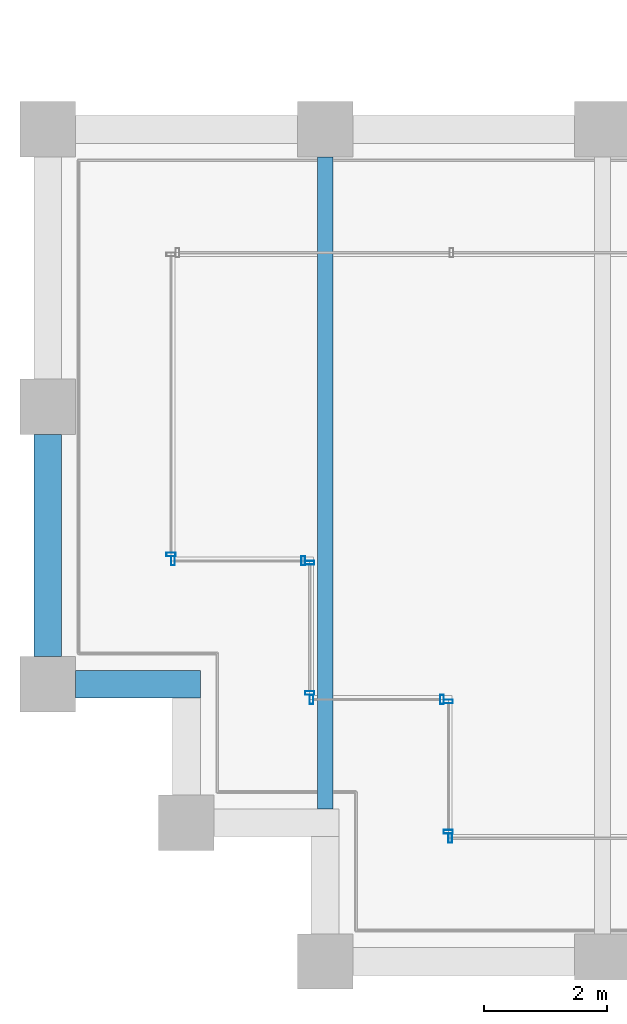
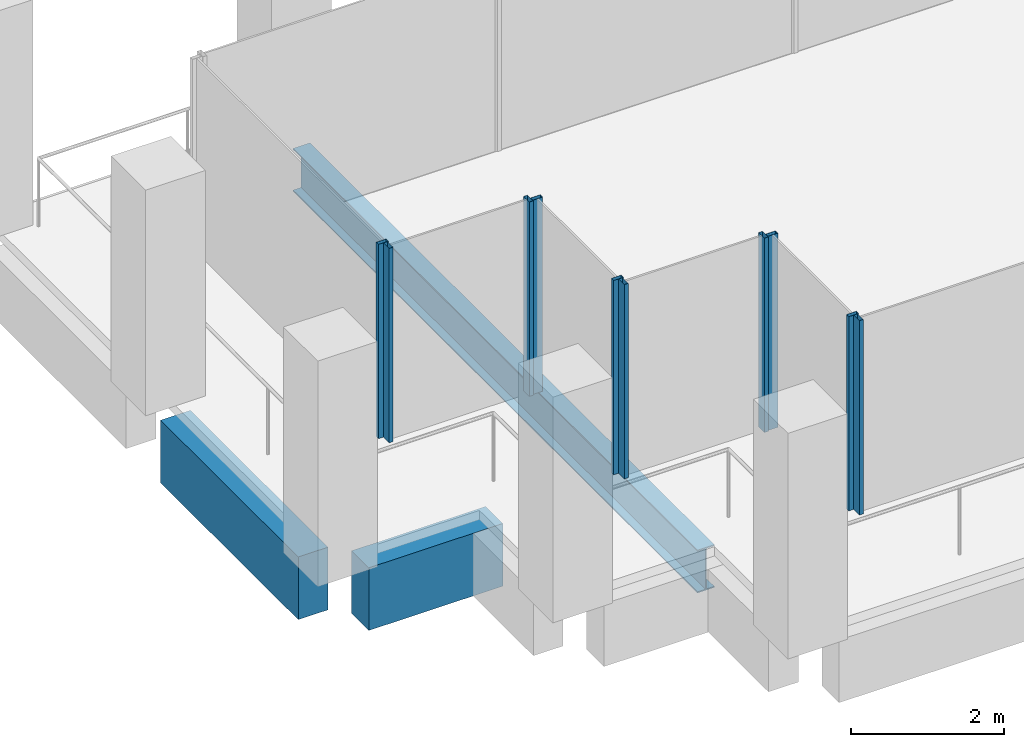
# One storey, part 2 of 40: 10 members, 3 beams, 6 elements without a shape of their own.
"""IFC4 building model written with IfcOpenShell, lengths in metres."""

from ifc_helpers import new_model, si_unit, direction, frame, origin, origin_2d, place, context, subcontext, project, spatial, rectangle, hollow_rectangle, i_section, extrude, material, material_profile, profile_set, type_object, element, aggregate, save


model = new_model("IFC4")

# Units and contexts
model_context = context("Model", 3, precision=1e-05, world=origin(), true_north=direction((0.0, 1.0)))
body_context = subcontext(model_context, "Body", "Model", "MODEL_VIEW")
ifc_project = project(units=[si_unit("LENGTHUNIT", "METRE"), si_unit("AREAUNIT", "SQUARE_METRE"), si_unit("VOLUMEUNIT", "CUBIC_METRE"), si_unit("PLANEANGLEUNIT", "RADIAN"), si_unit("MASSUNIT", "GRAM", prefix="KILO")], contexts=[model_context])

# Site, building, storey
site_placement = place(None, origin())
site = spatial("IfcSite", under=ifc_project, at=site_placement, CompositionType="ELEMENT")
building_placement = place(site_placement, origin())
building = spatial("IfcBuilding", under=site, at=building_placement, Name="Altepetl Exchange Towers", CompositionType="ELEMENT")
storey_placement = place(building_placement, frame((0.0, 0.0, 158.199951171875)))
storey = spatial("IfcBuildingStorey", under=building, at=storey_placement, Name="L39", CompositionType="ELEMENT", Elevation=158.199951171875)

# Beam
ifc_material_1 = material(Name="Steel S355", Category="steel")
ifc_material_profile_1 = material_profile(ifc_material_1, i_section(OverallWidth=0.25390625, OverallDepth=0.68408203125, WebThickness=0.012451171875, FlangeThickness=0.018798828125, at=origin_2d()), Name="W27X94")
ifc_profile_set_1 = profile_set([ifc_material_profile_1], Name="Steel S355")
beam_type_1 = type_object("IfcBeamType", Name="Floor beam W27X94", PredefinedType="BEAM", material=ifc_profile_set_1)
beam_1_placement = place(storey_placement, frame((31.5, 29.47509765625, -0.491943359375), z_axis=(0.0, 1.0, 0.0), x_axis=(-1.0, 0.0, 0.0)))
element("IfcBeam", 1, at=beam_1_placement, inside=storey, type_object=beam_type_1, Name="bm:A:L39:012", PredefinedType="BEAM", context=body_context, shape_type="SweptSolid", body=[
    extrude(i_section(OverallWidth=0.25390625, OverallDepth=0.68408203125, WebThickness=0.012451171875, FlangeThickness=0.018798828125, at=origin_2d()), origin(), (0.0, 0.0, 1.0), 10.574951171875),
])

# Curtain wall, member
ifc_material_2 = material(Name="Aluminium 6063-T6 glazing", Category="aluminium")
curtain_wall_type = type_object("IfcCurtainWallType", Name="Loggia glazing system", PredefinedType="NOTDEFINED", material=ifc_material_2)
curtain_wall_1_placement = place(storey_placement, origin())
curtain_wall_1 = element("IfcCurtainWall", 2, at=curtain_wall_1_placement, inside=storey, type_object=curtain_wall_type, Name="CW1 run", PredefinedType="NOTDEFINED")
ifc_material_3 = material(Name="Aluminium 6063-T6", Category="aluminium")
ifc_material_profile_2 = material_profile(ifc_material_3, hollow_rectangle(XDim=0.06005859375, YDim=0.14990234375, WallThickness=0.0029296875, at=origin_2d()), Name="Mullion 60x150 aluminium")
ifc_profile_set_2 = profile_set([ifc_material_profile_2], Name="Aluminium 6063-T6")
member_type = type_object("IfcMemberType", Name="Mullion 60x150 aluminium", PredefinedType="MULLION", material=ifc_profile_set_2)
member_1_placement = place(storey_placement, frame((29.0, 33.60498046875, 0.0), z_axis=(0.0, 0.0, 1.0), x_axis=(0.0, -1.0, 0.0)))
member_1 = element("IfcMember", 3, at=member_1_placement, type_object=member_type, Name="MU1 mullion", PredefinedType="MULLION", context=body_context, shape_type="SweptSolid", body=[
    extrude(hollow_rectangle(XDim=0.06005859375, YDim=0.14990234375, WallThickness=0.0029296875, at=origin_2d()), origin(), (0.0, 0.0, 1.0), 3.10009765625),
])
aggregate(curtain_wall_1, [member_1])

# Curtain wall, members
curtain_wall_2_placement = place(storey_placement, origin())
curtain_wall_2 = element("IfcCurtainWall", 4, at=curtain_wall_2_placement, inside=storey, type_object=curtain_wall_type, Name="CW1 run", PredefinedType="NOTDEFINED")
member_2_placement = place(storey_placement, frame((29.030029296875, 33.5, 0.0)))
member_2 = element("IfcMember", 5, at=member_2_placement, type_object=member_type, Name="MU1 mullion", PredefinedType="MULLION", context=body_context, shape_type="SweptSolid", body=[
    extrude(hollow_rectangle(XDim=0.06005859375, YDim=0.14990234375, WallThickness=0.0029296875, at=origin_2d()), origin(), (0.0, 0.0, 1.0), 3.10009765625),
])
member_3_placement = place(storey_placement, frame((31.14501953125, 33.5, 0.0)))
member_3 = element("IfcMember", 6, at=member_3_placement, type_object=member_type, Name="MU1 mullion", PredefinedType="MULLION", context=body_context, shape_type="SweptSolid", body=[
    extrude(hollow_rectangle(XDim=0.06005859375, YDim=0.14990234375, WallThickness=0.0029296875, at=origin_2d()), origin(), (0.0, 0.0, 1.0), 3.10009765625),
])
aggregate(curtain_wall_2, [member_2, member_3])

curtain_wall_3_placement = place(storey_placement, origin())
curtain_wall_3 = element("IfcCurtainWall", 7, at=curtain_wall_3_placement, inside=storey, type_object=curtain_wall_type, Name="CW1 run", PredefinedType="NOTDEFINED")
member_4_placement = place(storey_placement, frame((31.25, 33.469970703125, 0.0), z_axis=(0.0, 0.0, 1.0), x_axis=(0.0, -1.0, 0.0)))
member_4 = element("IfcMember", 8, at=member_4_placement, type_object=member_type, Name="MU1 mullion", PredefinedType="MULLION", context=body_context, shape_type="SweptSolid", body=[
    extrude(hollow_rectangle(XDim=0.06005859375, YDim=0.14990234375, WallThickness=0.0029296875, at=origin_2d()), origin(), (0.0, 0.0, 1.0), 3.10009765625),
])
member_5_placement = place(storey_placement, frame((31.25, 31.35498046875, 0.0), z_axis=(0.0, 0.0, 1.0), x_axis=(0.0, -1.0, 0.0)))
member_5 = element("IfcMember", 9, at=member_5_placement, type_object=member_type, Name="MU1 mullion", PredefinedType="MULLION", context=body_context, shape_type="SweptSolid", body=[
    extrude(hollow_rectangle(XDim=0.06005859375, YDim=0.14990234375, WallThickness=0.0029296875, at=origin_2d()), origin(), (0.0, 0.0, 1.0), 3.10009765625),
])
aggregate(curtain_wall_3, [member_4, member_5])

curtain_wall_4_placement = place(storey_placement, origin())
curtain_wall_4 = element("IfcCurtainWall", 10, at=curtain_wall_4_placement, inside=storey, type_object=curtain_wall_type, Name="CW1 run", PredefinedType="NOTDEFINED")
member_6_placement = place(storey_placement, frame((31.280029296875, 31.25, 0.0)))
member_6 = element("IfcMember", 11, at=member_6_placement, type_object=member_type, Name="MU1 mullion", PredefinedType="MULLION", context=body_context, shape_type="SweptSolid", body=[
    extrude(hollow_rectangle(XDim=0.06005859375, YDim=0.14990234375, WallThickness=0.0029296875, at=origin_2d()), origin(), (0.0, 0.0, 1.0), 3.10009765625),
])
member_7_placement = place(storey_placement, frame((33.39501953125, 31.25, 0.0)))
member_7 = element("IfcMember", 12, at=member_7_placement, type_object=member_type, Name="MU1 mullion", PredefinedType="MULLION", context=body_context, shape_type="SweptSolid", body=[
    extrude(hollow_rectangle(XDim=0.06005859375, YDim=0.14990234375, WallThickness=0.0029296875, at=origin_2d()), origin(), (0.0, 0.0, 1.0), 3.10009765625),
])
aggregate(curtain_wall_4, [member_6, member_7])

curtain_wall_5_placement = place(storey_placement, origin())
curtain_wall_5 = element("IfcCurtainWall", 13, at=curtain_wall_5_placement, inside=storey, type_object=curtain_wall_type, Name="CW1 run", PredefinedType="NOTDEFINED")
member_8_placement = place(storey_placement, frame((33.5, 31.219970703125, 0.0), z_axis=(0.0, 0.0, 1.0), x_axis=(0.0, -1.0, 0.0)))
member_8 = element("IfcMember", 14, at=member_8_placement, type_object=member_type, Name="MU1 mullion", PredefinedType="MULLION", context=body_context, shape_type="SweptSolid", body=[
    extrude(hollow_rectangle(XDim=0.06005859375, YDim=0.14990234375, WallThickness=0.0029296875, at=origin_2d()), origin(), (0.0, 0.0, 1.0), 3.10009765625),
])
member_9_placement = place(storey_placement, frame((33.5, 29.10498046875, 0.0), z_axis=(0.0, 0.0, 1.0), x_axis=(0.0, -1.0, 0.0)))
member_9 = element("IfcMember", 15, at=member_9_placement, type_object=member_type, Name="MU1 mullion", PredefinedType="MULLION", context=body_context, shape_type="SweptSolid", body=[
    extrude(hollow_rectangle(XDim=0.06005859375, YDim=0.14990234375, WallThickness=0.0029296875, at=origin_2d()), origin(), (0.0, 0.0, 1.0), 3.10009765625),
])
aggregate(curtain_wall_5, [member_8, member_9])

# Curtain wall, member
curtain_wall_6_placement = place(storey_placement, origin())
curtain_wall_6 = element("IfcCurtainWall", 16, at=curtain_wall_6_placement, inside=storey, type_object=curtain_wall_type, Name="CW1 run", PredefinedType="NOTDEFINED")
member_10_placement = place(storey_placement, frame((33.530029296875, 29.0, 0.0)))
member_10 = element("IfcMember", 17, at=member_10_placement, type_object=member_type, Name="MU1 mullion", PredefinedType="MULLION", context=body_context, shape_type="SweptSolid", body=[
    extrude(hollow_rectangle(XDim=0.06005859375, YDim=0.14990234375, WallThickness=0.0029296875, at=origin_2d()), origin(), (0.0, 0.0, 1.0), 3.10009765625),
])
aggregate(curtain_wall_6, [member_10])

# Beams
ifc_material_4 = material(Name="Concrete C50/60 precast with cantera blanca facing", Category="concrete")
ifc_material_profile_3 = material_profile(ifc_material_4, rectangle(XDim=0.449951171875, YDim=1.0, at=origin_2d()), Name="450 x 1000")
ifc_profile_set_3 = profile_set([ifc_material_profile_3], Name="Concrete C50/60 precast with cantera blanca facing")
beam_type_2 = type_object("IfcBeamType", Name="Spandrel beam 450x1000 cantera blanca", PredefinedType="SPANDREL", material=ifc_profile_set_3)
beam_2_placement = place(storey_placement, frame((27.0, 35.550048828125, -0.64990234375), z_axis=(0.0, -1.0, 0.0), x_axis=(1.0, 0.0, 0.0)))
element("IfcBeam", 18, at=beam_2_placement, inside=storey, type_object=beam_type_2, Name="sp:A:L39:037", PredefinedType="SPANDREL", context=body_context, shape_type="SweptSolid", body=[
    extrude(rectangle(XDim=0.449951171875, YDim=1.0, at=origin_2d()), origin(), (0.0, 0.0, 1.0), 3.60009765625),
])
beam_3_placement = place(storey_placement, frame((27.449951171875, 31.5, -0.64990234375), z_axis=(1.0, 0.0, 0.0), x_axis=(0.0, 1.0, 0.0)))
element("IfcBeam", 19, at=beam_3_placement, inside=storey, type_object=beam_type_2, Name="sp:A:L39:038", PredefinedType="SPANDREL", context=body_context, shape_type="SweptSolid", body=[
    extrude(rectangle(XDim=0.449951171875, YDim=1.0, at=origin_2d()), origin(), (0.0, 0.0, 1.0), 2.025146484375),
])

save(model, "model.ifc")
